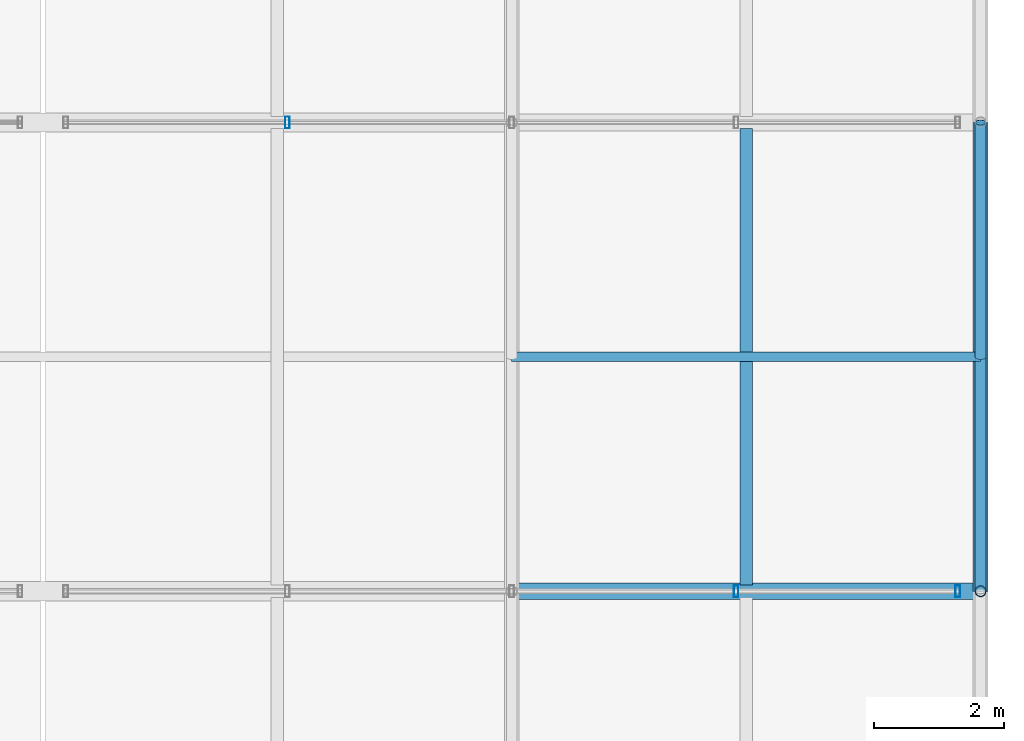
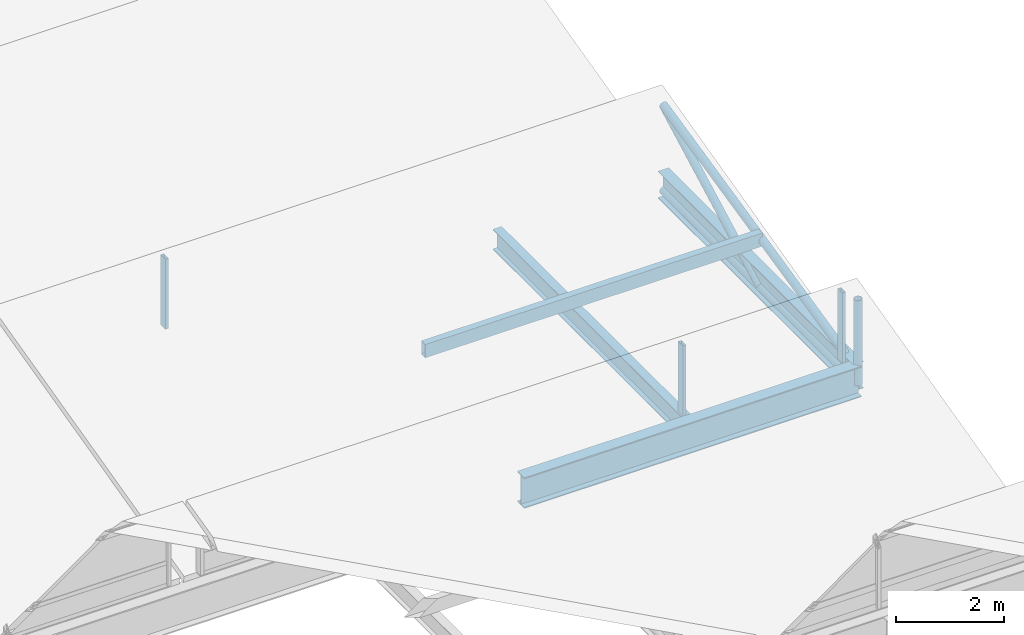
# One storey, part 74 of 144: 8 members, 3 beams, 2 elements without a shape of their own.
"""IFC4 building model written with IfcOpenShell, lengths in metres."""

from ifc_helpers import new_model, si_unit, direction, frame, origin, origin_2d, place, context, subcontext, project, spatial, hollow_rectangle, hollow_circle, i_section, extrude, material, material_profile, profile_set, type_object, element, aggregate, save


model = new_model("IFC4")

# Units and contexts
model_context = context("Model", 3, precision=1e-05, world=origin(), true_north=direction((0.0, 1.0)))
body_context = subcontext(model_context, "Body", "Model", "MODEL_VIEW")
ifc_project = project(units=[si_unit("LENGTHUNIT", "METRE"), si_unit("AREAUNIT", "SQUARE_METRE"), si_unit("VOLUMEUNIT", "CUBIC_METRE"), si_unit("PLANEANGLEUNIT", "RADIAN"), si_unit("MASSUNIT", "GRAM", prefix="KILO")], contexts=[model_context])

# Site, building, storey
site_placement = place(None, origin())
site = spatial("IfcSite", under=ifc_project, at=site_placement, CompositionType="ELEMENT")
building_placement = place(site_placement, origin())
building = spatial("IfcBuilding", under=site, at=building_placement, Name="Yarey Park Central Fire Station", CompositionType="ELEMENT")
storey_placement = place(building_placement, frame((0.0, 0.0, 10.199951171875)))
storey = spatial("IfcBuildingStorey", under=building, at=storey_placement, Name="L03", CompositionType="ELEMENT", Elevation=10.199951171875)

# Curtain wall, members
ifc_material_1 = material(Name="Anodized Aluminium Frame", Category="aluminium")
curtain_wall_type = type_object("IfcCurtainWallType", Name="ENV_CW_SAW_18", PredefinedType="NOTDEFINED", material=ifc_material_1)
curtain_wall_1_placement = place(storey_placement, origin())
curtain_wall_1 = element("IfcCurtainWall", 1, at=curtain_wall_1_placement, inside=storey, type_object=curtain_wall_type, Name="CW_L03_SAW_3_2", PredefinedType="NOTDEFINED")
ifc_material_profile_1 = material_profile(ifc_material_1, hollow_rectangle(XDim=0.070068359375, YDim=0.179931640625, WallThickness=0.00390625, at=origin_2d()), Name="ALU 180x70x4")
ifc_profile_set_1 = profile_set([ifc_material_profile_1], Name="Anodized Aluminium Frame")
member_type_1 = type_object("IfcMemberType", Name="ENV_CW_MULLION", PredefinedType="MULLION", material=ifc_profile_set_1)
member_1_placement = place(storey_placement, frame((165.25, 64.800048828125, 0.0), z_axis=(0.0, 0.0, 1.0), x_axis=(1.0, 0.0, 0.0)))
member_1 = element("IfcMember", 2, at=member_1_placement, type_object=member_type_1, Name="CW_L03_SAW_3_2_MUL1", PredefinedType="MULLION", context=body_context, shape_type="SweptSolid", body=[
    extrude(hollow_rectangle(XDim=0.070068359375, YDim=0.179931640625, WallThickness=0.00390625, at=origin_2d()), origin(), (0.0, 0.0, 1.0), 1.580078125),
])
member_2_placement = place(storey_placement, frame((161.844970703125, 64.800048828125, 0.0), z_axis=(0.0, 0.0, 1.0), x_axis=(1.0, 0.0, 0.0)))
member_2 = element("IfcMember", 3, at=member_2_placement, type_object=member_type_1, Name="CW_L03_SAW_3_2_MUL2", PredefinedType="MULLION", context=body_context, shape_type="SweptSolid", body=[
    extrude(hollow_rectangle(XDim=0.070068359375, YDim=0.179931640625, WallThickness=0.00390625, at=origin_2d()), origin(), (0.0, 0.0, 1.0), 1.580078125),
])
aggregate(curtain_wall_1, [member_1, member_2])

# Curtain wall, member
curtain_wall_2_placement = place(storey_placement, origin())
curtain_wall_2 = element("IfcCurtainWall", 4, at=curtain_wall_2_placement, inside=storey, type_object=curtain_wall_type, Name="CW_L03_SAW_4_2", PredefinedType="NOTDEFINED")
member_3_placement = place(storey_placement, frame((154.955078125, 72.0, 0.0), z_axis=(0.0, 0.0, 1.0), x_axis=(1.0, 0.0, 0.0)))
member_3 = element("IfcMember", 5, at=member_3_placement, type_object=member_type_1, Name="CW_L03_SAW_4_2_MUL4", PredefinedType="MULLION", context=body_context, shape_type="SweptSolid", body=[
    extrude(hollow_rectangle(XDim=0.070068359375, YDim=0.179931640625, WallThickness=0.00390625, at=origin_2d()), origin(), (0.0, 0.0, 1.0), 1.580078125),
])
aggregate(curtain_wall_2, [member_3])

# Beams
ifc_material_2 = material(Name="Steel ASTM A992 Gr. 50", Category="steel")
ifc_material_profile_2 = material_profile(ifc_material_2, i_section(OverallWidth=0.22900390625, OverallDepth=0.612060546875, WebThickness=0.011962890625, FlangeThickness=0.01953125, at=origin_2d()), Name="W610x125")
ifc_profile_set_2 = profile_set([ifc_material_profile_2], Name="Steel ASTM A992 Gr. 50")
beam_type_1 = type_object("IfcBeamType", Name="STR_BM_W610", PredefinedType="BEAM", material=ifc_profile_set_2)
beam_1_placement = place(storey_placement, frame((165.60009765625, 64.800048828125, -0.48583984375), z_axis=(0.0, 1.0, 0.0), x_axis=(-1.0, 0.0, 0.0)))
element("IfcBeam", 6, at=beam_1_placement, inside=storey, type_object=beam_type_1, Name="BMY L03 X1656 Y648", PredefinedType="BEAM", context=body_context, shape_type="SweptSolid", body=[
    extrude(i_section(OverallWidth=0.22900390625, OverallDepth=0.612060546875, WebThickness=0.011962890625, FlangeThickness=0.01953125, at=origin_2d()), origin(), (0.0, 0.0, 1.0), 7.199951171875),
])
ifc_material_profile_3 = material_profile(ifc_material_2, i_section(OverallWidth=0.256103515625, OverallDepth=0.693115234375, WebThickness=0.014404296875, FlangeThickness=0.023681640625, at=origin_2d()), Name="W690x170")
ifc_profile_set_3 = profile_set([ifc_material_profile_3], Name="Steel ASTM A992 Gr. 50")
beam_type_2 = type_object("IfcBeamType", Name="STR_BM_W690", PredefinedType="BEAM", material=ifc_profile_set_3)
beam_2_placement = place(storey_placement, frame((158.39990234375, 64.800048828125, -0.5263671875), z_axis=(1.0, 0.0, 0.0), x_axis=(0.0, 1.0, 0.0)))
element("IfcBeam", 7, at=beam_2_placement, inside=storey, type_object=beam_type_2, Name="BMX L03 Y648 X1584", PredefinedType="BEAM", context=body_context, shape_type="SweptSolid", body=[
    extrude(i_section(OverallWidth=0.256103515625, OverallDepth=0.693115234375, WebThickness=0.014404296875, FlangeThickness=0.023681640625, at=origin_2d()), origin(), (0.0, 0.0, 1.0), 7.2001953125),
])

# Members
ifc_material_3 = material(Name="Steel ASTM A500 Gr. C", Category="steel")
ifc_material_profile_4 = material_profile(ifc_material_3, hollow_circle(Radius=0.084228515625, WallThickness=0.008056640625, at=origin_2d()), Name="CHS 168.3x8")
ifc_profile_set_4 = profile_set([ifc_material_profile_4], Name="Steel ASTM A500 Gr. C")
member_type_2 = type_object("IfcMemberType", Name="STR_CHORD_CHS168", PredefinedType="CHORD", material=ifc_profile_set_4)
member_4_placement = place(storey_placement, frame((165.60009765625, 64.800048828125, -0.64990234375), z_axis=(0.0, 1.0, 0.0), x_axis=(-1.0, 0.0, 0.0)))
element("IfcMember", 8, at=member_4_placement, inside=storey, type_object=member_type_2, Name="SAW_T4_B4_BC", PredefinedType="CHORD", context=body_context, shape_type="SweptSolid", body=[
    extrude(hollow_circle(Radius=0.084228515625, WallThickness=0.008056640625, at=origin_2d()), origin(), (0.0, 0.0, 1.0), 7.199951171875),
])
member_5_placement = place(storey_placement, frame((165.60009765625, 64.800048828125, -0.349853515625), z_axis=(0.0, 0.975464150349, 0.220158332533), x_axis=(-1.0, 0.0, 0.0)))
element("IfcMember", 9, at=member_5_placement, inside=storey, type_object=member_type_2, Name="SAW_T4_B4_TC", PredefinedType="CHORD", context=body_context, shape_type="SweptSolid", body=[
    extrude(hollow_circle(Radius=0.084228515625, WallThickness=0.008056640625, at=origin_2d()), origin(), (0.0, 0.0, 1.0), 7.381103515625),
])

# Beam
ifc_material_profile_5 = material_profile(ifc_material_2, i_section(OverallWidth=0.18994140625, OverallDepth=0.45703125, WebThickness=0.009033203125, FlangeThickness=0.014404296875, at=origin_2d()), Name="W460x74")
ifc_profile_set_5 = profile_set([ifc_material_profile_5], Name="Steel ASTM A992 Gr. 50")
beam_type_3 = type_object("IfcBeamType", Name="STR_JST_W460", PredefinedType="JOIST", material=ifc_profile_set_5)
beam_3_placement = place(storey_placement, frame((162.0, 64.89501953125, -0.408447265625), z_axis=(0.0, 1.0, 0.0), x_axis=(-1.0, 0.0, 0.0)))
element("IfcBeam", 10, at=beam_3_placement, inside=storey, type_object=beam_type_3, Name="JST L03 X1620 Y648", PredefinedType="JOIST", context=body_context, shape_type="SweptSolid", body=[
    extrude(i_section(OverallWidth=0.18994140625, OverallDepth=0.45703125, WebThickness=0.009033203125, FlangeThickness=0.014404296875, at=origin_2d()), origin(), (0.0, 0.0, 1.0), 7.010009765625),
])

# Members
ifc_material_profile_6 = material_profile(ifc_material_3, hollow_rectangle(XDim=0.14990234375, YDim=0.300048828125, WallThickness=0.010009765625, at=origin_2d()), Name="HSS 300x150x10")
ifc_profile_set_6 = profile_set([ifc_material_profile_6], Name="Steel ASTM A500 Gr. C")
member_type_3 = type_object("IfcMemberType", Name="STR_PUR_HSS300", PredefinedType="PURLIN", material=ifc_profile_set_6)
member_6_placement = place(storey_placement, frame((158.39990234375, 68.39990234375, 0.462646484375), z_axis=(1.0, 0.0, 0.0), x_axis=(0.0, 1.0, 0.0)))
element("IfcMember", 11, at=member_6_placement, inside=storey, type_object=member_type_3, Name="SAW_PUR_3_B4", PredefinedType="PURLIN", context=body_context, shape_type="SweptSolid", body=[
    extrude(hollow_rectangle(XDim=0.14990234375, YDim=0.300048828125, WallThickness=0.010009765625, at=origin_2d()), origin(), (0.0, 0.0, 1.0), 7.2001953125),
])
ifc_material_profile_7 = material_profile(ifc_material_3, hollow_circle(Radius=0.084228515625, WallThickness=0.008056640625, at=origin_2d()), Name="CHS 168.3x8")
ifc_profile_set_7 = profile_set([ifc_material_profile_7], Name="Steel ASTM A500 Gr. C")
member_type_4 = type_object("IfcMemberType", Name="STR_WEB_CHS168", PredefinedType="BRACE", material=ifc_profile_set_7)
member_7_placement = place(storey_placement, frame((165.60009765625, 64.800048828125, -0.64990234375), z_axis=(0.0, 0.0, 1.0), x_axis=(1.0, 0.0, 0.0)))
element("IfcMember", 12, at=member_7_placement, inside=storey, type_object=member_type_4, Name="SAW_T4_B3_VT", PredefinedType="BRACE", context=body_context, shape_type="SweptSolid", body=[
    extrude(hollow_circle(Radius=0.084228515625, WallThickness=0.008056640625, at=origin_2d()), origin(), (0.0, 0.0, 1.0), 1.925048828125),
])
member_8_placement = place(storey_placement, frame((165.60009765625, 68.39990234375, -0.64990234375), z_axis=(0.0, 0.881844210833, 0.471540865483), x_axis=(-1.0, 0.0, 0.0)))
element("IfcMember", 13, at=member_8_placement, inside=storey, type_object=member_type_4, Name="SAW_T4_B4_DG", PredefinedType="BRACE", context=body_context, shape_type="SweptSolid", body=[
    extrude(hollow_circle(Radius=0.084228515625, WallThickness=0.008056640625, at=origin_2d()), origin(), (0.0, 0.0, 1.0), 4.08251953125),
])

save(model, "model.ifc")
